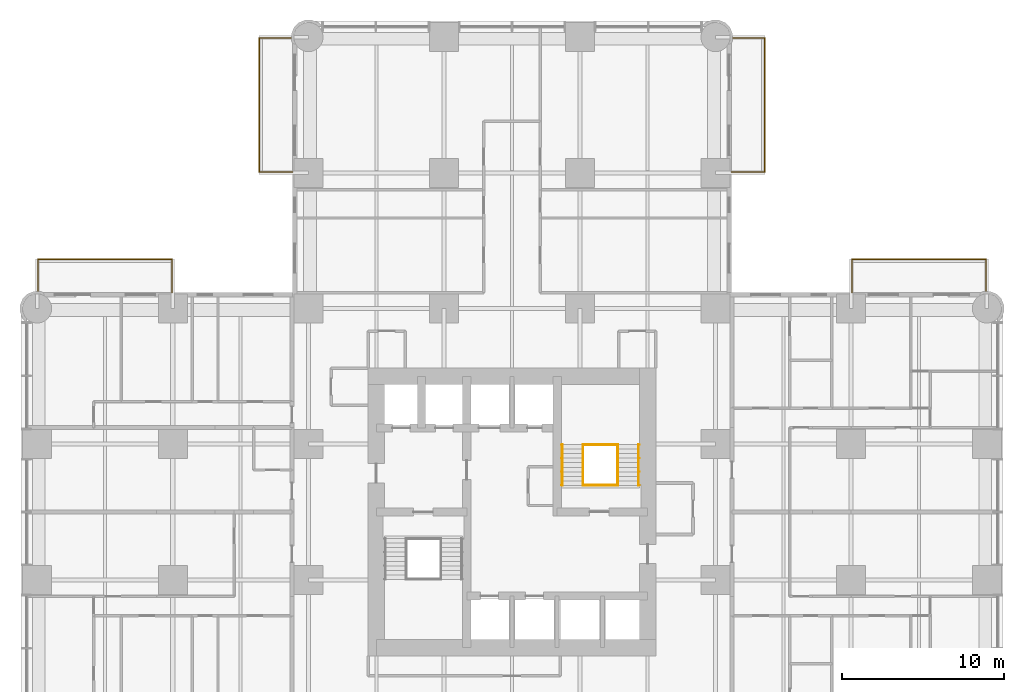
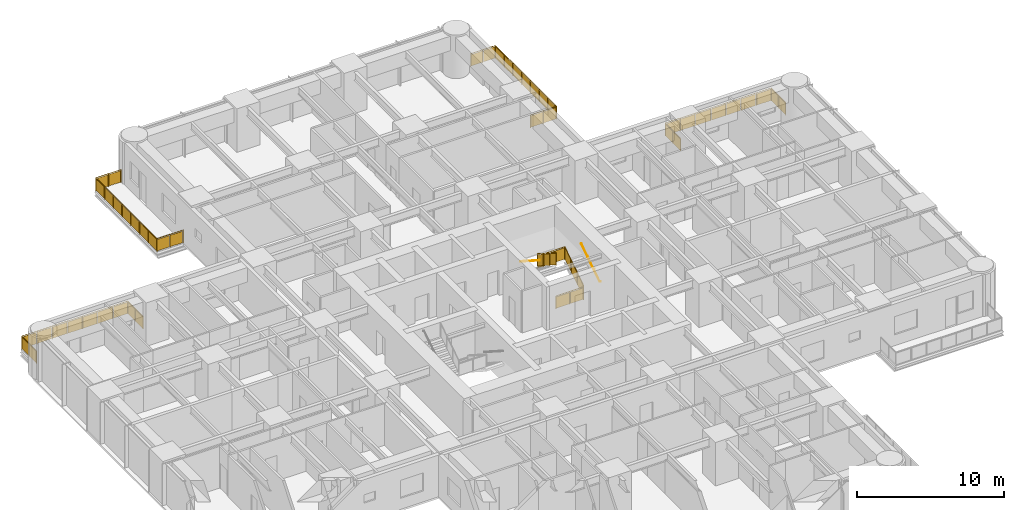
# One storey, part 17 of 17: 10 railings.
"""IFC4 building model written with IfcOpenShell, lengths in metres."""

from ifc_helpers import new_model, si_unit, direction, frame, origin, origin_2d, place, context, subcontext, project, spatial, polyline, circle, outline, extrude, material, constituent, constituent_set, type_object, element, save


model = new_model("IFC4")

# Units and contexts
model_context = context("Model", 3, precision=1e-05, world=origin(), true_north=direction((0.0, 1.0)))
body_context = subcontext(model_context, "Body", "Model", "MODEL_VIEW")
ifc_project = project(units=[si_unit("LENGTHUNIT", "METRE"), si_unit("AREAUNIT", "SQUARE_METRE"), si_unit("VOLUMEUNIT", "CUBIC_METRE"), si_unit("PLANEANGLEUNIT", "RADIAN"), si_unit("MASSUNIT", "GRAM", prefix="KILO")], contexts=[model_context])

# Site, building, storey
site_placement = place(None, origin())
site = spatial("IfcSite", under=ifc_project, at=site_placement, CompositionType="ELEMENT")
building_placement = place(site_placement, origin())
building = spatial("IfcBuilding", under=site, at=building_placement, Name="Torre Alcanfor", CompositionType="ELEMENT")
storey_placement = place(building_placement, frame((0.0, 0.0, 38.10009765625)))
storey = spatial("IfcBuildingStorey", under=building, at=storey_placement, Name="L08", CompositionType="ELEMENT", Elevation=38.10009765625)

# Railings
ifc_material_1 = material(Name="Laminated safety glass", Category="glass")
ifc_constituent_1 = constituent(ifc_material_1, Name="Infill")
ifc_material_2 = material(Name="Stainless steel ASTM A554 Grade MT 316L tube", Category="steel")
ifc_constituent_2 = constituent(ifc_material_2, Name="Posts and rail")
ifc_constituent_set = constituent_set(constituents=[ifc_constituent_1, ifc_constituent_2], Name="Balcony guard glass 1100")
railing_type_1 = type_object("IfcRailingType", Name="Balcony guard glass 1100", PredefinedType="BALUSTRADE", material=ifc_constituent_set)
railing_1_placement = place(storey_placement, frame((15.800048828125, 50.449951171875, 0.0)))
element("IfcRailing", 1, at=railing_1_placement, inside=storey, type_object=railing_type_1, Name="Balcony guard L08-N1", PredefinedType="BALUSTRADE", context=body_context, shape_type="SweptSolid", body=[
    extrude(circle(Radius=0.02392578125, at=origin_2d()), frame((0.0, 0.0, 1.076171875), z_axis=(-1.0, 0.0, 0.0), x_axis=(0.0, -1.0, 0.0)), (0.0, 0.0, 1.0), 2.050048828125),
    extrude(circle(Radius=0.02392578125, at=origin_2d()), frame((-2.050048828125, 0.0, 1.076171875), z_axis=(0.0, 1.0, 0.0), x_axis=(-1.0, 0.0, 0.0)), (0.0, 0.0, 1.0), 8.300048828125),
    extrude(circle(Radius=0.02392578125, at=origin_2d()), frame((-2.050048828125, 8.300048828125, 1.076171875), z_axis=(1.0, 0.0, 0.0), x_axis=(0.0, 1.0, 0.0)), (0.0, 0.0, 1.0), 1.968994140625),
    extrude(circle(Radius=0.02099609375, at=origin_2d()), origin(), (0.0, 0.0, 1.0), 1.052001953125),
    extrude(circle(Radius=0.02099609375, at=origin_2d()), frame((-1.02490234375, 0.0, 0.0)), (0.0, 0.0, 1.0), 1.052001953125),
    extrude(circle(Radius=0.02099609375, at=origin_2d()), frame((-2.050048828125, 0.0, 0.0)), (0.0, 0.0, 1.0), 1.052001953125),
    extrude(circle(Radius=0.02099609375, at=origin_2d()), frame((-2.050048828125, 1.185791015625, 0.0)), (0.0, 0.0, 1.0), 1.052001953125),
    extrude(circle(Radius=0.02099609375, at=origin_2d()), frame((-2.050048828125, 2.371337890625, 0.0)), (0.0, 0.0, 1.0), 1.052001953125),
    extrude(circle(Radius=0.02099609375, at=origin_2d()), frame((-2.050048828125, 3.55712890625, 0.0)), (0.0, 0.0, 1.0), 1.052001953125),
    extrude(circle(Radius=0.02099609375, at=origin_2d()), frame((-2.050048828125, 4.742919921875, 0.0)), (0.0, 0.0, 1.0), 1.052001953125),
    extrude(circle(Radius=0.02099609375, at=origin_2d()), frame((-2.050048828125, 5.9287109375, 0.0)), (0.0, 0.0, 1.0), 1.052001953125),
    extrude(circle(Radius=0.02099609375, at=origin_2d()), frame((-2.050048828125, 7.1142578125, 0.0)), (0.0, 0.0, 1.0), 1.052001953125),
    extrude(circle(Radius=0.02099609375, at=origin_2d()), frame((-2.050048828125, 8.300048828125, 0.0)), (0.0, 0.0, 1.0), 1.052001953125),
    extrude(circle(Radius=0.02099609375, at=origin_2d()), frame((-1.0654296875, 8.300048828125, 0.0)), (0.0, 0.0, 1.0), 1.052001953125),
    extrude(circle(Radius=0.02099609375, at=origin_2d()), frame((-0.0810546875, 8.300048828125, 0.0)), (0.0, 0.0, 1.0), 1.052001953125),
    extrude(outline(polyline([(0.041015625, 0.050048828125), (0.984130859375, 0.050048828125), (0.984130859375, 1.001953125), (0.041015625, 1.001953125), (0.041015625, 0.050048828125)])), frame((0.0, -0.005859375, 0.0), z_axis=(0.0, 1.0, 0.0), x_axis=(-1.0, 0.0, 0.0)), (0.0, 0.0, 1.0), 0.011962890625),
    extrude(outline(polyline([(1.06591796875, 0.050048828125), (2.009033203125, 0.050048828125), (2.009033203125, 1.001953125), (1.06591796875, 1.001953125), (1.06591796875, 0.050048828125)])), frame((0.0, -0.005859375, 0.0), z_axis=(0.0, 1.0, 0.0), x_axis=(-1.0, 0.0, 0.0)), (0.0, 0.0, 1.0), 0.011962890625),
    extrude(outline(polyline([(0.041015625, 0.050048828125), (1.144775390625, 0.050048828125), (1.144775390625, 1.001953125), (0.041015625, 1.001953125), (0.041015625, 0.050048828125)])), frame((-2.05615234375, 0.0, 0.0), z_axis=(1.0, 0.0, 0.0), x_axis=(0.0, 1.0, 0.0)), (0.0, 0.0, 1.0), 0.011962890625),
    extrude(outline(polyline([(1.226806640625, 0.050048828125), (2.330322265625, 0.050048828125), (2.330322265625, 1.001953125), (1.226806640625, 1.001953125), (1.226806640625, 0.050048828125)])), frame((-2.05615234375, 0.0, 0.0), z_axis=(1.0, 0.0, 0.0), x_axis=(0.0, 1.0, 0.0)), (0.0, 0.0, 1.0), 0.011962890625),
    extrude(outline(polyline([(2.412353515625, 0.050048828125), (3.51611328125, 0.050048828125), (3.51611328125, 1.001953125), (2.412353515625, 1.001953125), (2.412353515625, 0.050048828125)])), frame((-2.05615234375, 0.0, 0.0), z_axis=(1.0, 0.0, 0.0), x_axis=(0.0, 1.0, 0.0)), (0.0, 0.0, 1.0), 0.011962890625),
    extrude(outline(polyline([(3.59814453125, 0.050048828125), (4.701904296875, 0.050048828125), (4.701904296875, 1.001953125), (3.59814453125, 1.001953125), (3.59814453125, 0.050048828125)])), frame((-2.05615234375, 0.0, 0.0), z_axis=(1.0, 0.0, 0.0), x_axis=(0.0, 1.0, 0.0)), (0.0, 0.0, 1.0), 0.011962890625),
    extrude(outline(polyline([(4.783935546875, 0.050048828125), (5.8876953125, 0.050048828125), (5.8876953125, 1.001953125), (4.783935546875, 1.001953125), (4.783935546875, 0.050048828125)])), frame((-2.05615234375, 0.0, 0.0), z_axis=(1.0, 0.0, 0.0), x_axis=(0.0, 1.0, 0.0)), (0.0, 0.0, 1.0), 0.011962890625),
    extrude(outline(polyline([(5.9697265625, 0.050048828125), (7.0732421875, 0.050048828125), (7.0732421875, 1.001953125), (5.9697265625, 1.001953125), (5.9697265625, 0.050048828125)])), frame((-2.05615234375, 0.0, 0.0), z_axis=(1.0, 0.0, 0.0), x_axis=(0.0, 1.0, 0.0)), (0.0, 0.0, 1.0), 0.011962890625),
    extrude(outline(polyline([(7.1552734375, 0.050048828125), (8.259033203125, 0.050048828125), (8.259033203125, 1.001953125), (7.1552734375, 1.001953125), (7.1552734375, 0.050048828125)])), frame((-2.05615234375, 0.0, 0.0), z_axis=(1.0, 0.0, 0.0), x_axis=(0.0, 1.0, 0.0)), (0.0, 0.0, 1.0), 0.011962890625),
    extrude(outline(polyline([(0.041015625, 0.050048828125), (0.943603515625, 0.050048828125), (0.943603515625, 1.001953125), (0.041015625, 1.001953125), (0.041015625, 0.050048828125)])), frame((-2.050048828125, 8.30615234375, 0.0), z_axis=(0.0, -1.0, 0.0), x_axis=(1.0, 0.0, 0.0)), (0.0, 0.0, 1.0), 0.011962890625),
    extrude(outline(polyline([(1.025390625, 0.050048828125), (1.927978515625, 0.050048828125), (1.927978515625, 1.001953125), (1.025390625, 1.001953125), (1.025390625, 0.050048828125)])), frame((-2.050048828125, 8.30615234375, 0.0), z_axis=(0.0, -1.0, 0.0), x_axis=(1.0, 0.0, 0.0)), (0.0, 0.0, 1.0), 0.011962890625),
])
railing_2_placement = place(storey_placement, frame((43.0, 50.449951171875, 0.0)))
element("IfcRailing", 2, at=railing_2_placement, inside=storey, type_object=railing_type_1, Name="Balcony guard L08-N2", PredefinedType="BALUSTRADE", context=body_context, shape_type="SweptSolid", body=[
    extrude(circle(Radius=0.02392578125, at=origin_2d()), frame((0.0, 0.0, 1.076171875), z_axis=(1.0, 0.0, 0.0), x_axis=(0.0, 1.0, 0.0)), (0.0, 0.0, 1.0), 2.050048828125),
    extrude(circle(Radius=0.02392578125, at=origin_2d()), frame((2.050048828125, 0.0, 1.076171875), z_axis=(0.0, 1.0, 0.0), x_axis=(-1.0, 0.0, 0.0)), (0.0, 0.0, 1.0), 8.300048828125),
    extrude(circle(Radius=0.02392578125, at=origin_2d()), frame((2.050048828125, 8.300048828125, 1.076171875), z_axis=(-1.0, 0.0, 0.0), x_axis=(0.0, -1.0, 0.0)), (0.0, 0.0, 1.0), 1.968994140625),
    extrude(circle(Radius=0.02099609375, at=origin_2d()), origin(), (0.0, 0.0, 1.0), 1.052001953125),
    extrude(circle(Radius=0.02099609375, at=origin_2d()), frame((1.02490234375, 0.0, 0.0)), (0.0, 0.0, 1.0), 1.052001953125),
    extrude(circle(Radius=0.02099609375, at=origin_2d()), frame((2.050048828125, 0.0, 0.0)), (0.0, 0.0, 1.0), 1.052001953125),
    extrude(circle(Radius=0.02099609375, at=origin_2d()), frame((2.050048828125, 1.185791015625, 0.0)), (0.0, 0.0, 1.0), 1.052001953125),
    extrude(circle(Radius=0.02099609375, at=origin_2d()), frame((2.050048828125, 2.371337890625, 0.0)), (0.0, 0.0, 1.0), 1.052001953125),
    extrude(circle(Radius=0.02099609375, at=origin_2d()), frame((2.050048828125, 3.55712890625, 0.0)), (0.0, 0.0, 1.0), 1.052001953125),
    extrude(circle(Radius=0.02099609375, at=origin_2d()), frame((2.050048828125, 4.742919921875, 0.0)), (0.0, 0.0, 1.0), 1.052001953125),
    extrude(circle(Radius=0.02099609375, at=origin_2d()), frame((2.050048828125, 5.9287109375, 0.0)), (0.0, 0.0, 1.0), 1.052001953125),
    extrude(circle(Radius=0.02099609375, at=origin_2d()), frame((2.050048828125, 7.1142578125, 0.0)), (0.0, 0.0, 1.0), 1.052001953125),
    extrude(circle(Radius=0.02099609375, at=origin_2d()), frame((2.050048828125, 8.300048828125, 0.0)), (0.0, 0.0, 1.0), 1.052001953125),
    extrude(circle(Radius=0.02099609375, at=origin_2d()), frame((1.0654296875, 8.300048828125, 0.0)), (0.0, 0.0, 1.0), 1.052001953125),
    extrude(circle(Radius=0.02099609375, at=origin_2d()), frame((0.0810546875, 8.300048828125, 0.0)), (0.0, 0.0, 1.0), 1.052001953125),
    extrude(outline(polyline([(0.041015625, 0.050048828125), (0.984130859375, 0.050048828125), (0.984130859375, 1.001953125), (0.041015625, 1.001953125), (0.041015625, 0.050048828125)])), frame((0.0, 0.005859375, 0.0), z_axis=(0.0, -1.0, 0.0), x_axis=(1.0, 0.0, 0.0)), (0.0, 0.0, 1.0), 0.011962890625),
    extrude(outline(polyline([(1.06591796875, 0.050048828125), (2.009033203125, 0.050048828125), (2.009033203125, 1.001953125), (1.06591796875, 1.001953125), (1.06591796875, 0.050048828125)])), frame((0.0, 0.005859375, 0.0), z_axis=(0.0, -1.0, 0.0), x_axis=(1.0, 0.0, 0.0)), (0.0, 0.0, 1.0), 0.011962890625),
    extrude(outline(polyline([(0.041015625, 0.050048828125), (1.144775390625, 0.050048828125), (1.144775390625, 1.001953125), (0.041015625, 1.001953125), (0.041015625, 0.050048828125)])), frame((2.0439453125, 0.0, 0.0), z_axis=(1.0, 0.0, 0.0), x_axis=(0.0, 1.0, 0.0)), (0.0, 0.0, 1.0), 0.011962890625),
    extrude(outline(polyline([(1.226806640625, 0.050048828125), (2.330322265625, 0.050048828125), (2.330322265625, 1.001953125), (1.226806640625, 1.001953125), (1.226806640625, 0.050048828125)])), frame((2.0439453125, 0.0, 0.0), z_axis=(1.0, 0.0, 0.0), x_axis=(0.0, 1.0, 0.0)), (0.0, 0.0, 1.0), 0.011962890625),
    extrude(outline(polyline([(2.412353515625, 0.050048828125), (3.51611328125, 0.050048828125), (3.51611328125, 1.001953125), (2.412353515625, 1.001953125), (2.412353515625, 0.050048828125)])), frame((2.0439453125, 0.0, 0.0), z_axis=(1.0, 0.0, 0.0), x_axis=(0.0, 1.0, 0.0)), (0.0, 0.0, 1.0), 0.011962890625),
    extrude(outline(polyline([(3.59814453125, 0.050048828125), (4.701904296875, 0.050048828125), (4.701904296875, 1.001953125), (3.59814453125, 1.001953125), (3.59814453125, 0.050048828125)])), frame((2.0439453125, 0.0, 0.0), z_axis=(1.0, 0.0, 0.0), x_axis=(0.0, 1.0, 0.0)), (0.0, 0.0, 1.0), 0.011962890625),
    extrude(outline(polyline([(4.783935546875, 0.050048828125), (5.8876953125, 0.050048828125), (5.8876953125, 1.001953125), (4.783935546875, 1.001953125), (4.783935546875, 0.050048828125)])), frame((2.0439453125, 0.0, 0.0), z_axis=(1.0, 0.0, 0.0), x_axis=(0.0, 1.0, 0.0)), (0.0, 0.0, 1.0), 0.011962890625),
    extrude(outline(polyline([(5.9697265625, 0.050048828125), (7.0732421875, 0.050048828125), (7.0732421875, 1.001953125), (5.9697265625, 1.001953125), (5.9697265625, 0.050048828125)])), frame((2.0439453125, 0.0, 0.0), z_axis=(1.0, 0.0, 0.0), x_axis=(0.0, 1.0, 0.0)), (0.0, 0.0, 1.0), 0.011962890625),
    extrude(outline(polyline([(7.1552734375, 0.050048828125), (8.259033203125, 0.050048828125), (8.259033203125, 1.001953125), (7.1552734375, 1.001953125), (7.1552734375, 0.050048828125)])), frame((2.0439453125, 0.0, 0.0), z_axis=(1.0, 0.0, 0.0), x_axis=(0.0, 1.0, 0.0)), (0.0, 0.0, 1.0), 0.011962890625),
    extrude(outline(polyline([(0.041015625, 0.050048828125), (0.943603515625, 0.050048828125), (0.943603515625, 1.001953125), (0.041015625, 1.001953125), (0.041015625, 0.050048828125)])), frame((2.050048828125, 8.2939453125, 0.0), z_axis=(0.0, 1.0, 0.0), x_axis=(-1.0, 0.0, 0.0)), (0.0, 0.0, 1.0), 0.011962890625),
    extrude(outline(polyline([(1.025390625, 0.050048828125), (1.927978515625, 0.050048828125), (1.927978515625, 1.001953125), (1.025390625, 1.001953125), (1.025390625, 0.050048828125)])), frame((2.050048828125, 8.2939453125, 0.0), z_axis=(0.0, 1.0, 0.0), x_axis=(-1.0, 0.0, 0.0)), (0.0, 0.0, 1.0), 0.011962890625),
])
railing_3_placement = place(storey_placement, frame((50.449951171875, 43.0, 0.0)))
element("IfcRailing", 3, at=railing_3_placement, inside=storey, type_object=railing_type_1, Name="Balcony guard L08-E1", PredefinedType="BALUSTRADE", context=body_context, shape_type="SweptSolid", body=[
    extrude(circle(Radius=0.02392578125, at=origin_2d()), frame((0.0, 0.0, 1.076171875), z_axis=(0.0, 1.0, 0.0), x_axis=(-1.0, 0.0, 0.0)), (0.0, 0.0, 1.0), 2.050048828125),
    extrude(circle(Radius=0.02392578125, at=origin_2d()), frame((0.0, 2.050048828125, 1.076171875), z_axis=(1.0, 0.0, 0.0), x_axis=(0.0, 1.0, 0.0)), (0.0, 0.0, 1.0), 8.300048828125),
    extrude(circle(Radius=0.02392578125, at=origin_2d()), frame((8.300048828125, 2.050048828125, 1.076171875), z_axis=(0.0, -1.0, 0.0), x_axis=(1.0, 0.0, 0.0)), (0.0, 0.0, 1.0), 1.968994140625),
    extrude(circle(Radius=0.02099609375, at=origin_2d()), origin(), (0.0, 0.0, 1.0), 1.052001953125),
    extrude(circle(Radius=0.02099609375, at=origin_2d()), frame((0.0, 1.02490234375, 0.0)), (0.0, 0.0, 1.0), 1.052001953125),
    extrude(circle(Radius=0.02099609375, at=origin_2d()), frame((0.0, 2.050048828125, 0.0)), (0.0, 0.0, 1.0), 1.052001953125),
    extrude(circle(Radius=0.02099609375, at=origin_2d()), frame((1.185791015625, 2.050048828125, 0.0)), (0.0, 0.0, 1.0), 1.052001953125),
    extrude(circle(Radius=0.02099609375, at=origin_2d()), frame((2.371337890625, 2.050048828125, 0.0)), (0.0, 0.0, 1.0), 1.052001953125),
    extrude(circle(Radius=0.02099609375, at=origin_2d()), frame((3.55712890625, 2.050048828125, 0.0)), (0.0, 0.0, 1.0), 1.052001953125),
    extrude(circle(Radius=0.02099609375, at=origin_2d()), frame((4.742919921875, 2.050048828125, 0.0)), (0.0, 0.0, 1.0), 1.052001953125),
    extrude(circle(Radius=0.02099609375, at=origin_2d()), frame((5.9287109375, 2.050048828125, 0.0)), (0.0, 0.0, 1.0), 1.052001953125),
    extrude(circle(Radius=0.02099609375, at=origin_2d()), frame((7.1142578125, 2.050048828125, 0.0)), (0.0, 0.0, 1.0), 1.052001953125),
    extrude(circle(Radius=0.02099609375, at=origin_2d()), frame((8.300048828125, 2.050048828125, 0.0)), (0.0, 0.0, 1.0), 1.052001953125),
    extrude(circle(Radius=0.02099609375, at=origin_2d()), frame((8.300048828125, 1.0654296875, 0.0)), (0.0, 0.0, 1.0), 1.052001953125),
    extrude(circle(Radius=0.02099609375, at=origin_2d()), frame((8.300048828125, 0.0810546875, 0.0)), (0.0, 0.0, 1.0), 1.052001953125),
    extrude(outline(polyline([(0.041015625, 0.050048828125), (0.984130859375, 0.050048828125), (0.984130859375, 1.001953125), (0.041015625, 1.001953125), (0.041015625, 0.050048828125)])), frame((-0.005859375, 0.0, 0.0), z_axis=(1.0, 0.0, 0.0), x_axis=(0.0, 1.0, 0.0)), (0.0, 0.0, 1.0), 0.011962890625),
    extrude(outline(polyline([(1.06591796875, 0.050048828125), (2.009033203125, 0.050048828125), (2.009033203125, 1.001953125), (1.06591796875, 1.001953125), (1.06591796875, 0.050048828125)])), frame((-0.005859375, 0.0, 0.0), z_axis=(1.0, 0.0, 0.0), x_axis=(0.0, 1.0, 0.0)), (0.0, 0.0, 1.0), 0.011962890625),
    extrude(outline(polyline([(0.041015625, 0.050048828125), (1.144775390625, 0.050048828125), (1.144775390625, 1.001953125), (0.041015625, 1.001953125), (0.041015625, 0.050048828125)])), frame((0.0, 2.05615234375, 0.0), z_axis=(0.0, -1.0, 0.0), x_axis=(1.0, 0.0, 0.0)), (0.0, 0.0, 1.0), 0.011962890625),
    extrude(outline(polyline([(1.226806640625, 0.050048828125), (2.330322265625, 0.050048828125), (2.330322265625, 1.001953125), (1.226806640625, 1.001953125), (1.226806640625, 0.050048828125)])), frame((0.0, 2.05615234375, 0.0), z_axis=(0.0, -1.0, 0.0), x_axis=(1.0, 0.0, 0.0)), (0.0, 0.0, 1.0), 0.011962890625),
    extrude(outline(polyline([(2.412353515625, 0.050048828125), (3.51611328125, 0.050048828125), (3.51611328125, 1.001953125), (2.412353515625, 1.001953125), (2.412353515625, 0.050048828125)])), frame((0.0, 2.05615234375, 0.0), z_axis=(0.0, -1.0, 0.0), x_axis=(1.0, 0.0, 0.0)), (0.0, 0.0, 1.0), 0.011962890625),
    extrude(outline(polyline([(3.59814453125, 0.050048828125), (4.701904296875, 0.050048828125), (4.701904296875, 1.001953125), (3.59814453125, 1.001953125), (3.59814453125, 0.050048828125)])), frame((0.0, 2.05615234375, 0.0), z_axis=(0.0, -1.0, 0.0), x_axis=(1.0, 0.0, 0.0)), (0.0, 0.0, 1.0), 0.011962890625),
    extrude(outline(polyline([(4.783935546875, 0.050048828125), (5.8876953125, 0.050048828125), (5.8876953125, 1.001953125), (4.783935546875, 1.001953125), (4.783935546875, 0.050048828125)])), frame((0.0, 2.05615234375, 0.0), z_axis=(0.0, -1.0, 0.0), x_axis=(1.0, 0.0, 0.0)), (0.0, 0.0, 1.0), 0.011962890625),
    extrude(outline(polyline([(5.9697265625, 0.050048828125), (7.0732421875, 0.050048828125), (7.0732421875, 1.001953125), (5.9697265625, 1.001953125), (5.9697265625, 0.050048828125)])), frame((0.0, 2.05615234375, 0.0), z_axis=(0.0, -1.0, 0.0), x_axis=(1.0, 0.0, 0.0)), (0.0, 0.0, 1.0), 0.011962890625),
    extrude(outline(polyline([(7.1552734375, 0.050048828125), (8.259033203125, 0.050048828125), (8.259033203125, 1.001953125), (7.1552734375, 1.001953125), (7.1552734375, 0.050048828125)])), frame((0.0, 2.05615234375, 0.0), z_axis=(0.0, -1.0, 0.0), x_axis=(1.0, 0.0, 0.0)), (0.0, 0.0, 1.0), 0.011962890625),
    extrude(outline(polyline([(0.041015625, 0.050048828125), (0.943603515625, 0.050048828125), (0.943603515625, 1.001953125), (0.041015625, 1.001953125), (0.041015625, 0.050048828125)])), frame((8.30615234375, 2.050048828125, 0.0), z_axis=(-1.0, 0.0, 0.0), x_axis=(0.0, -1.0, 0.0)), (0.0, 0.0, 1.0), 0.011962890625),
    extrude(outline(polyline([(1.025390625, 0.050048828125), (1.927978515625, 0.050048828125), (1.927978515625, 1.001953125), (1.025390625, 1.001953125), (1.025390625, 0.050048828125)])), frame((8.30615234375, 2.050048828125, 0.0), z_axis=(-1.0, 0.0, 0.0), x_axis=(0.0, -1.0, 0.0)), (0.0, 0.0, 1.0), 0.011962890625),
])
railing_4_placement = place(storey_placement, frame((8.35009765625, 43.0, 0.0)))
element("IfcRailing", 4, at=railing_4_placement, inside=storey, type_object=railing_type_1, Name="Balcony guard L08-W2", PredefinedType="BALUSTRADE", context=body_context, shape_type="SweptSolid", body=[
    extrude(circle(Radius=0.02392578125, at=origin_2d()), frame((0.0, 0.0, 1.076171875), z_axis=(0.0, 1.0, 0.0), x_axis=(-1.0, 0.0, 0.0)), (0.0, 0.0, 1.0), 2.050048828125),
    extrude(circle(Radius=0.02392578125, at=origin_2d()), frame((0.0, 2.050048828125, 1.076171875), z_axis=(-1.0, 0.0, 0.0), x_axis=(0.0, -1.0, 0.0)), (0.0, 0.0, 1.0), 8.300048828125),
    extrude(circle(Radius=0.02392578125, at=origin_2d()), frame((-8.300048828125, 2.050048828125, 1.076171875), z_axis=(0.0, -1.0, 0.0), x_axis=(1.0, 0.0, 0.0)), (0.0, 0.0, 1.0), 1.968994140625),
    extrude(circle(Radius=0.02099609375, at=origin_2d()), origin(), (0.0, 0.0, 1.0), 1.052001953125),
    extrude(circle(Radius=0.02099609375, at=origin_2d()), frame((0.0, 1.02490234375, 0.0)), (0.0, 0.0, 1.0), 1.052001953125),
    extrude(circle(Radius=0.02099609375, at=origin_2d()), frame((0.0, 2.050048828125, 0.0)), (0.0, 0.0, 1.0), 1.052001953125),
    extrude(circle(Radius=0.02099609375, at=origin_2d()), frame((-1.185791015625, 2.050048828125, 0.0)), (0.0, 0.0, 1.0), 1.052001953125),
    extrude(circle(Radius=0.02099609375, at=origin_2d()), frame((-2.371337890625, 2.050048828125, 0.0)), (0.0, 0.0, 1.0), 1.052001953125),
    extrude(circle(Radius=0.02099609375, at=origin_2d()), frame((-3.55712890625, 2.050048828125, 0.0)), (0.0, 0.0, 1.0), 1.052001953125),
    extrude(circle(Radius=0.02099609375, at=origin_2d()), frame((-4.742919921875, 2.050048828125, 0.0)), (0.0, 0.0, 1.0), 1.052001953125),
    extrude(circle(Radius=0.02099609375, at=origin_2d()), frame((-5.9287109375, 2.050048828125, 0.0)), (0.0, 0.0, 1.0), 1.052001953125),
    extrude(circle(Radius=0.02099609375, at=origin_2d()), frame((-7.1142578125, 2.050048828125, 0.0)), (0.0, 0.0, 1.0), 1.052001953125),
    extrude(circle(Radius=0.02099609375, at=origin_2d()), frame((-8.300048828125, 2.050048828125, 0.0)), (0.0, 0.0, 1.0), 1.052001953125),
    extrude(circle(Radius=0.02099609375, at=origin_2d()), frame((-8.300048828125, 1.0654296875, 0.0)), (0.0, 0.0, 1.0), 1.052001953125),
    extrude(circle(Radius=0.02099609375, at=origin_2d()), frame((-8.300048828125, 0.0810546875, 0.0)), (0.0, 0.0, 1.0), 1.052001953125),
    extrude(outline(polyline([(0.041015625, 0.050048828125), (0.984130859375, 0.050048828125), (0.984130859375, 1.001953125), (0.041015625, 1.001953125), (0.041015625, 0.050048828125)])), frame((-0.005859375, 0.0, 0.0), z_axis=(1.0, 0.0, 0.0), x_axis=(0.0, 1.0, 0.0)), (0.0, 0.0, 1.0), 0.011962890625),
    extrude(outline(polyline([(1.06591796875, 0.050048828125), (2.009033203125, 0.050048828125), (2.009033203125, 1.001953125), (1.06591796875, 1.001953125), (1.06591796875, 0.050048828125)])), frame((-0.005859375, 0.0, 0.0), z_axis=(1.0, 0.0, 0.0), x_axis=(0.0, 1.0, 0.0)), (0.0, 0.0, 1.0), 0.011962890625),
    extrude(outline(polyline([(0.041015625, 0.050048828125), (1.144775390625, 0.050048828125), (1.144775390625, 1.001953125), (0.041015625, 1.001953125), (0.041015625, 0.050048828125)])), frame((0.0, 2.0439453125, 0.0), z_axis=(0.0, 1.0, 0.0), x_axis=(-1.0, 0.0, 0.0)), (0.0, 0.0, 1.0), 0.011962890625),
    extrude(outline(polyline([(1.226806640625, 0.050048828125), (2.330322265625, 0.050048828125), (2.330322265625, 1.001953125), (1.226806640625, 1.001953125), (1.226806640625, 0.050048828125)])), frame((0.0, 2.0439453125, 0.0), z_axis=(0.0, 1.0, 0.0), x_axis=(-1.0, 0.0, 0.0)), (0.0, 0.0, 1.0), 0.011962890625),
    extrude(outline(polyline([(2.412353515625, 0.050048828125), (3.51611328125, 0.050048828125), (3.51611328125, 1.001953125), (2.412353515625, 1.001953125), (2.412353515625, 0.050048828125)])), frame((0.0, 2.0439453125, 0.0), z_axis=(0.0, 1.0, 0.0), x_axis=(-1.0, 0.0, 0.0)), (0.0, 0.0, 1.0), 0.011962890625),
    extrude(outline(polyline([(3.59814453125, 0.050048828125), (4.701904296875, 0.050048828125), (4.701904296875, 1.001953125), (3.59814453125, 1.001953125), (3.59814453125, 0.050048828125)])), frame((0.0, 2.0439453125, 0.0), z_axis=(0.0, 1.0, 0.0), x_axis=(-1.0, 0.0, 0.0)), (0.0, 0.0, 1.0), 0.011962890625),
    extrude(outline(polyline([(4.783935546875, 0.050048828125), (5.8876953125, 0.050048828125), (5.8876953125, 1.001953125), (4.783935546875, 1.001953125), (4.783935546875, 0.050048828125)])), frame((0.0, 2.0439453125, 0.0), z_axis=(0.0, 1.0, 0.0), x_axis=(-1.0, 0.0, 0.0)), (0.0, 0.0, 1.0), 0.011962890625),
    extrude(outline(polyline([(5.9697265625, 0.050048828125), (7.0732421875, 0.050048828125), (7.0732421875, 1.001953125), (5.9697265625, 1.001953125), (5.9697265625, 0.050048828125)])), frame((0.0, 2.0439453125, 0.0), z_axis=(0.0, 1.0, 0.0), x_axis=(-1.0, 0.0, 0.0)), (0.0, 0.0, 1.0), 0.011962890625),
    extrude(outline(polyline([(7.1552734375, 0.050048828125), (8.259033203125, 0.050048828125), (8.259033203125, 1.001953125), (7.1552734375, 1.001953125), (7.1552734375, 0.050048828125)])), frame((0.0, 2.0439453125, 0.0), z_axis=(0.0, 1.0, 0.0), x_axis=(-1.0, 0.0, 0.0)), (0.0, 0.0, 1.0), 0.011962890625),
    extrude(outline(polyline([(0.041015625, 0.050048828125), (0.943603515625, 0.050048828125), (0.943603515625, 1.001953125), (0.041015625, 1.001953125), (0.041015625, 0.050048828125)])), frame((-8.2939453125, 2.050048828125, 0.0), z_axis=(-1.0, 0.0, 0.0), x_axis=(0.0, -1.0, 0.0)), (0.0, 0.0, 1.0), 0.011962890625),
    extrude(outline(polyline([(1.025390625, 0.050048828125), (1.927978515625, 0.050048828125), (1.927978515625, 1.001953125), (1.025390625, 1.001953125), (1.025390625, 0.050048828125)])), frame((-8.2939453125, 2.050048828125, 0.0), z_axis=(-1.0, 0.0, 0.0), x_axis=(0.0, -1.0, 0.0)), (0.0, 0.0, 1.0), 0.011962890625),
])
ifc_material_3 = material(Name="Steel ASTM A500 Grade C hollow sections", Category="steel")
railing_type_2 = type_object("IfcRailingType", Name="Stair guard and handrail 1100", PredefinedType="GUARDRAIL", material=ifc_material_3)
railing_5_placement = place(storey_placement, frame((35.949951171875, 31.050048828125, 0.179931640625)))
element("IfcRailing", 5, at=railing_5_placement, inside=storey, type_object=railing_type_2, Name="Stair guard S2 L08 flight 1", PredefinedType="GUARDRAIL", context=body_context, shape_type="SweptSolid", body=[
    extrude(circle(Radius=0.02392578125, at=origin_2d()), frame((0.0, 0.0, 1.076171875), z_axis=(0.0, 0.841199657755, 0.540724639528), x_axis=(-1.0, 0.0, 0.0)), (0.0, 0.0, 1.0), 2.995849609375),
    extrude(circle(Radius=0.02099609375, at=origin_2d()), origin(), (0.0, 0.0, 1.0), 1.052001953125),
    extrude(circle(Radius=0.02099609375, at=origin_2d()), frame((0.0, 0.840087890625, 0.5400390625)), (0.0, 0.0, 1.0), 1.052001953125),
    extrude(circle(Radius=0.02099609375, at=origin_2d()), frame((0.0, 1.679931640625, 1.079833984375)), (0.0, 0.0, 1.0), 1.052001953125),
    extrude(circle(Radius=0.02099609375, at=origin_2d()), frame((0.0, 2.52001953125, 1.619873046875)), (0.0, 0.0, 1.0), 1.052001953125),
    extrude(outline(polyline([(0.041015625, 0.076416015625), (0.799072265625, 0.563720703125), (0.799072265625, 1.515625), (0.041015625, 1.0283203125), (0.041015625, 0.076416015625)])), frame((-0.005859375, 0.0, 0.0), z_axis=(1.0, 0.0, 0.0), x_axis=(0.0, 1.0, 0.0)), (0.0, 0.0, 1.0), 0.011962890625),
    extrude(outline(polyline([(0.881103515625, 0.6162109375), (1.638916015625, 1.103515625), (1.638916015625, 2.0556640625), (0.881103515625, 1.568359375), (0.881103515625, 0.6162109375)])), frame((-0.005859375, 0.0, 0.0), z_axis=(1.0, 0.0, 0.0), x_axis=(0.0, 1.0, 0.0)), (0.0, 0.0, 1.0), 0.011962890625),
    extrude(outline(polyline([(1.720947265625, 1.15625), (2.47900390625, 1.6435546875), (2.47900390625, 2.595458984375), (1.720947265625, 2.108154296875), (1.720947265625, 1.15625)])), frame((-0.005859375, 0.0, 0.0), z_axis=(1.0, 0.0, 0.0), x_axis=(0.0, 1.0, 0.0)), (0.0, 0.0, 1.0), 0.011962890625),
])
railing_6_placement = place(storey_placement, frame((33.800048828125, 33.570068359375, 1.97998046875)))
element("IfcRailing", 6, at=railing_6_placement, inside=storey, type_object=railing_type_2, Name="Stair guard S2 L08 flight 2", PredefinedType="GUARDRAIL", context=body_context, shape_type="SweptSolid", body=[
    extrude(circle(Radius=0.02392578125, at=origin_2d()), frame((0.0, 0.0, 1.076171875), z_axis=(0.0, -0.841199657755, 0.540724639528), x_axis=(1.0, 0.0, 0.0)), (0.0, 0.0, 1.0), 2.995849609375),
    extrude(circle(Radius=0.02099609375, at=origin_2d()), origin(), (0.0, 0.0, 1.0), 1.052001953125),
    extrude(circle(Radius=0.02099609375, at=origin_2d()), frame((0.0, -0.840087890625, 0.5400390625)), (0.0, 0.0, 1.0), 1.052001953125),
    extrude(circle(Radius=0.02099609375, at=origin_2d()), frame((0.0, -1.679931640625, 1.079833984375)), (0.0, 0.0, 1.0), 1.052001953125),
    extrude(circle(Radius=0.02099609375, at=origin_2d()), frame((0.0, -2.52001953125, 1.619873046875)), (0.0, 0.0, 1.0), 1.052001953125),
    extrude(outline(polyline([(0.041015625, 0.076416015625), (0.799072265625, 0.563720703125), (0.799072265625, 1.515625), (0.041015625, 1.0283203125), (0.041015625, 0.076416015625)])), frame((0.005859375, 0.0, 0.0), z_axis=(-1.0, 0.0, 0.0), x_axis=(0.0, -1.0, 0.0)), (0.0, 0.0, 1.0), 0.011962890625),
    extrude(outline(polyline([(0.881103515625, 0.6162109375), (1.638916015625, 1.103515625), (1.638916015625, 2.0556640625), (0.881103515625, 1.568359375), (0.881103515625, 0.6162109375)])), frame((0.005859375, 0.0, 0.0), z_axis=(-1.0, 0.0, 0.0), x_axis=(0.0, -1.0, 0.0)), (0.0, 0.0, 1.0), 0.011962890625),
    extrude(outline(polyline([(1.720947265625, 1.15625), (2.47900390625, 1.6435546875), (2.47900390625, 2.595458984375), (1.720947265625, 2.108154296875), (1.720947265625, 1.15625)])), frame((0.005859375, 0.0, 0.0), z_axis=(-1.0, 0.0, 0.0), x_axis=(0.0, -1.0, 0.0)), (0.0, 0.0, 1.0), 0.011962890625),
])
for number, where, name in (
    (7, (33.800048828125, 31.050048828125, 0.0), "Stair well guard S2 L08 floor landing"),
    (8, (33.800048828125, 33.570068359375, 1.7998046875), "Stair well guard S2 L08 half landing"),
):
    element("IfcRailing", number, at=place(storey_placement, frame(where)), inside=storey, type_object=railing_type_2, Name=name, PredefinedType="GUARDRAIL", context=body_context, shape_type="SweptSolid", body=[
        extrude(circle(Radius=0.02392578125, at=origin_2d()), frame((0.0, 0.0, 1.076171875), z_axis=(1.0, 0.0, 0.0), x_axis=(0.0, 1.0, 0.0)), (0.0, 0.0, 1.0), 2.14990234375),
        extrude(circle(Radius=0.02099609375, at=origin_2d()), origin(), (0.0, 0.0, 1.0), 1.052001953125),
        extrude(circle(Radius=0.02099609375, at=origin_2d()), frame((1.074951171875, 0.0, 0.0)), (0.0, 0.0, 1.0), 1.052001953125),
        extrude(circle(Radius=0.02099609375, at=origin_2d()), frame((2.14990234375, 0.0, 0.0)), (0.0, 0.0, 1.0), 1.052001953125),
        extrude(outline(polyline([(0.041015625, 0.050048828125), (1.033935546875, 0.050048828125), (1.033935546875, 1.001953125), (0.041015625, 1.001953125), (0.041015625, 0.050048828125)])), frame((0.0, 0.005859375, 0.0), z_axis=(0.0, -1.0, 0.0), x_axis=(1.0, 0.0, 0.0)), (0.0, 0.0, 1.0), 0.011962890625),
        extrude(outline(polyline([(1.115966796875, 0.050048828125), (2.10888671875, 0.050048828125), (2.10888671875, 1.001953125), (1.115966796875, 1.001953125), (1.115966796875, 0.050048828125)])), frame((0.0, 0.005859375, 0.0), z_axis=(0.0, -1.0, 0.0), x_axis=(1.0, 0.0, 0.0)), (0.0, 0.0, 1.0), 0.011962890625),
    ])
ifc_material_4 = material(Name="Steel ASTM A500 Grade C hollow sections", Category="steel")
railing_type_3 = type_object("IfcRailingType", Name="Stair wall handrail 900", PredefinedType="HANDRAIL", material=ifc_material_4)
railing_7_placement = place(storey_placement, frame((37.235107421875, 31.050048828125, 0.179931640625)))
element("IfcRailing", 9, at=railing_7_placement, inside=storey, type_object=railing_type_3, Name="Stair handrail S2 L08 flight 1", PredefinedType="HANDRAIL", context=body_context, shape_type="SweptSolid", body=[
    extrude(circle(Radius=0.02392578125, at=origin_2d()), frame((0.0, 0.0, 0.8759765625), z_axis=(0.0, 0.841199657755, 0.540724639528), x_axis=(-1.0, 0.0, 0.0)), (0.0, 0.0, 1.0), 2.995849609375),
    extrude(circle(Radius=0.008056640625, at=origin_2d()), frame((0.0, 0.0, 0.8759765625), z_axis=(1.0, 0.0, 0.0), x_axis=(0.0, 0.0, 1.0)), (0.0, 0.0, 1.0), 0.06494140625),
    extrude(circle(Radius=0.008056640625, at=origin_2d()), frame((0.0, 0.840087890625, 1.415771484375), z_axis=(1.0, 0.0, 0.0), x_axis=(0.0, 0.0, 1.0)), (0.0, 0.0, 1.0), 0.06494140625),
    extrude(circle(Radius=0.008056640625, at=origin_2d()), frame((0.0, 1.679931640625, 1.955810546875), z_axis=(1.0, 0.0, 0.0), x_axis=(0.0, 0.0, 1.0)), (0.0, 0.0, 1.0), 0.06494140625),
    extrude(circle(Radius=0.008056640625, at=origin_2d()), frame((0.0, 2.52001953125, 2.49560546875), z_axis=(1.0, 0.0, 0.0), x_axis=(0.0, 0.0, 1.0)), (0.0, 0.0, 1.0), 0.06494140625),
])
railing_8_placement = place(storey_placement, frame((32.514892578125, 33.570068359375, 1.97998046875)))
element("IfcRailing", 10, at=railing_8_placement, inside=storey, type_object=railing_type_3, Name="Stair handrail S2 L08 flight 2", PredefinedType="HANDRAIL", context=body_context, shape_type="SweptSolid", body=[
    extrude(circle(Radius=0.02392578125, at=origin_2d()), frame((0.0, 0.0, 0.8759765625), z_axis=(0.0, -0.841199657755, 0.540724639528), x_axis=(1.0, 0.0, 0.0)), (0.0, 0.0, 1.0), 2.995849609375),
    extrude(circle(Radius=0.008056640625, at=origin_2d()), frame((0.0, 0.0, 0.8759765625), z_axis=(-1.0, 0.0, 0.0), x_axis=(0.0, 0.0, 1.0)), (0.0, 0.0, 1.0), 0.06494140625),
    extrude(circle(Radius=0.008056640625, at=origin_2d()), frame((0.0, -0.840087890625, 1.415771484375), z_axis=(-1.0, 0.0, 0.0), x_axis=(0.0, 0.0, 1.0)), (0.0, 0.0, 1.0), 0.06494140625),
    extrude(circle(Radius=0.008056640625, at=origin_2d()), frame((0.0, -1.679931640625, 1.955810546875), z_axis=(-1.0, 0.0, 0.0), x_axis=(0.0, 0.0, 1.0)), (0.0, 0.0, 1.0), 0.06494140625),
    extrude(circle(Radius=0.008056640625, at=origin_2d()), frame((0.0, -2.52001953125, 2.49560546875), z_axis=(-1.0, 0.0, 0.0), x_axis=(0.0, 0.0, 1.0)), (0.0, 0.0, 1.0), 0.06494140625),
])

save(model, "model.ifc")
